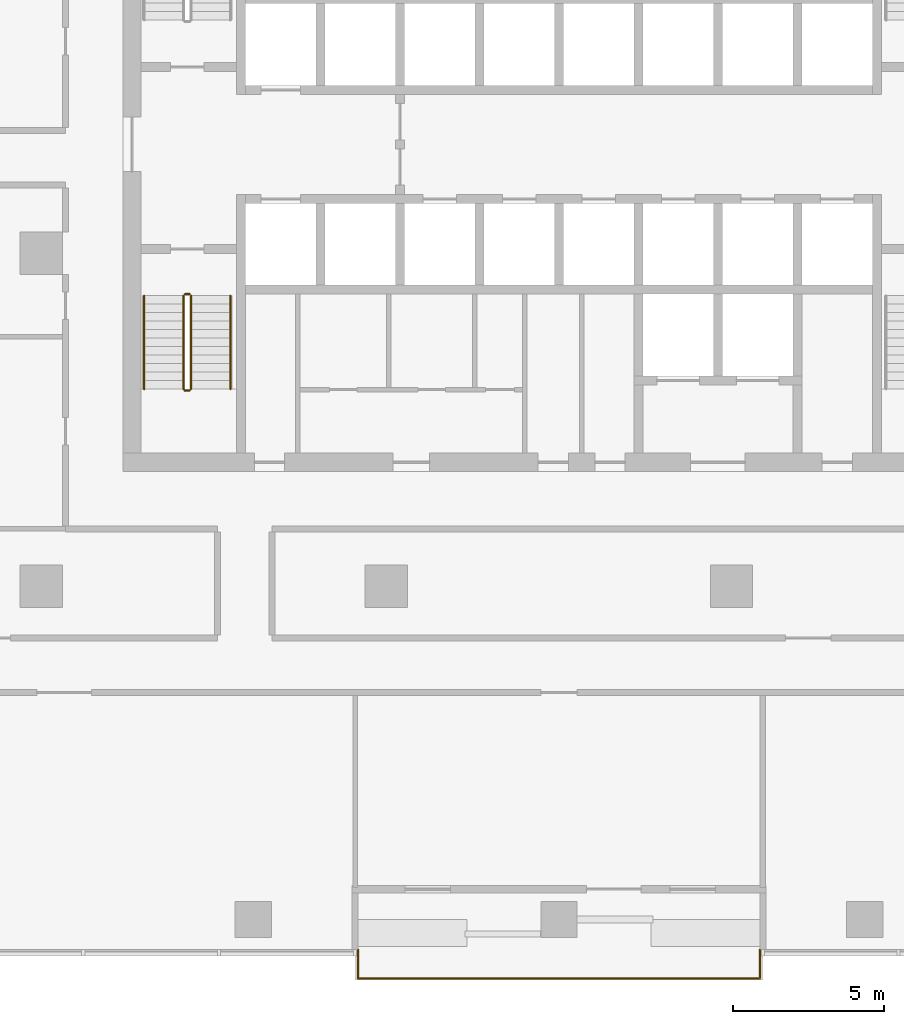
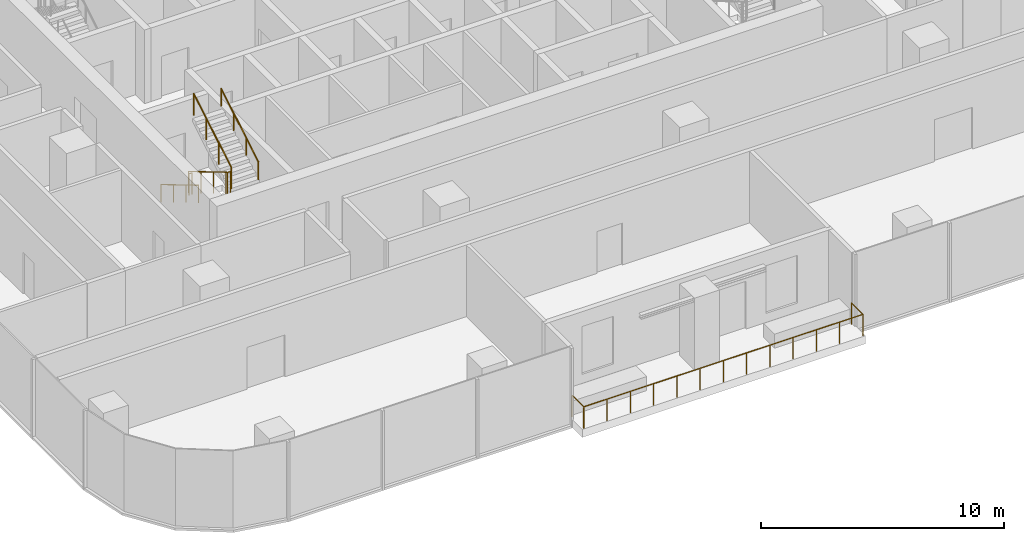
# One storey, part 11 of 14: 6 railings.
"""IFC4 building model written with IfcOpenShell, lengths in metres."""

from ifc_helpers import new_model, si_unit, direction, frame, origin, origin_2d, place, context, subcontext, project, spatial, circle, extrude, material, type_object, element, save


model = new_model("IFC4")

# Units and contexts
model_context = context("Model", 3, precision=1e-05, world=origin(), true_north=direction((0.0, 1.0)))
body_context = subcontext(model_context, "Body", "Model", "MODEL_VIEW")
ifc_project = project(units=[si_unit("LENGTHUNIT", "METRE"), si_unit("AREAUNIT", "SQUARE_METRE"), si_unit("VOLUMEUNIT", "CUBIC_METRE"), si_unit("PLANEANGLEUNIT", "RADIAN"), si_unit("MASSUNIT", "GRAM", prefix="KILO")], contexts=[model_context])

# Site, building, storey
site_placement = place(None, origin())
site = spatial("IfcSite", under=ifc_project, at=site_placement, CompositionType="ELEMENT")
building_placement = place(site_placement, origin())
building = spatial("IfcBuilding", under=site, at=building_placement, Name="Mopane Tessera Tower", CompositionType="ELEMENT")
storey_placement = place(building_placement, frame((0.0, 0.0, 165.0)))
storey = spatial("IfcBuildingStorey", under=building, at=storey_placement, Name="L33", CompositionType="ELEMENT", Elevation=165.0)

# Railings
ifc_material_1 = material(Name="Powder-coated steel balustrade", Category="steel")
railing_type_1 = type_object("IfcRailingType", Name="Escape stair guard 1100 mm", PredefinedType="GUARDRAIL", material=ifc_material_1)
railing_1_placement = place(storey_placement, frame((-12.39990234375, -1.39990234375, 0.166748046875)))
element("IfcRailing", 1, at=railing_1_placement, inside=storey, type_object=railing_type_1, Name="L33 ST1 stair guard 1", PredefinedType="GUARDRAIL", context=body_context, shape_type="SweptSolid", body=[
    extrude(circle(Radius=0.02392578125, at=origin_2d()), frame((0.0, 0.0, 1.076171875), z_axis=(0.0, -0.859308565015, 0.511457515432), x_axis=(1.0, 0.0, 0.0)), (0.0, 0.0, 1.0), 3.58447265625),
    extrude(circle(Radius=0.02392578125, at=origin_2d()), frame((0.0, -3.080078125, 2.9091796875), z_axis=(0.705375805398, -0.708833529934, 0.0), x_axis=(0.708833529934, 0.705375805398, 0.0)), (0.0, 0.0, 1.0), 0.070556640625),
    extrude(circle(Radius=0.02392578125, at=origin_2d()), frame((0.0498046875, -3.130126953125, 2.9091796875), z_axis=(1.0, 0.0, 0.0), x_axis=(0.0, 1.0, 0.0)), (0.0, 0.0, 1.0), 0.150146484375),
    extrude(circle(Radius=0.02099609375, at=origin_2d()), origin(), (0.0, 0.0, 1.0), 1.052001953125),
    extrude(circle(Radius=0.02099609375, at=origin_2d()), frame((0.0, -1.026611328125, 0.611083984375)), (0.0, 0.0, 1.0), 1.052001953125),
    extrude(circle(Radius=0.02099609375, at=origin_2d()), frame((0.0, -2.053466796875, 1.22216796875)), (0.0, 0.0, 1.0), 1.052001953125),
    extrude(circle(Radius=0.02099609375, at=origin_2d()), frame((0.0, -3.080078125, 1.833251953125)), (0.0, 0.0, 1.0), 1.052001953125),
    extrude(circle(Radius=0.02099609375, at=origin_2d()), frame((0.0498046875, -3.130126953125, 1.833251953125)), (0.0, 0.0, 1.0), 1.052001953125),
    extrude(circle(Radius=0.02099609375, at=origin_2d()), frame((0.199951171875, -3.130126953125, 1.833251953125)), (0.0, 0.0, 1.0), 1.052001953125),
])
railing_2_placement = place(storey_placement, frame((-12.14990234375, -4.47998046875, 2.166748046875)))
element("IfcRailing", 2, at=railing_2_placement, inside=storey, type_object=railing_type_1, Name="L33 ST1 stair guard 2", PredefinedType="GUARDRAIL", context=body_context, shape_type="SweptSolid", body=[
    extrude(circle(Radius=0.02392578125, at=origin_2d()), frame((0.0, 0.0, 1.076171875), z_axis=(0.0, 0.859308565015, 0.511457515432), x_axis=(-1.0, 0.0, 0.0)), (0.0, 0.0, 1.0), 3.58447265625),
    extrude(circle(Radius=0.02099609375, at=origin_2d()), origin(), (0.0, 0.0, 1.0), 1.052001953125),
    extrude(circle(Radius=0.02099609375, at=origin_2d()), frame((0.0, 1.026611328125, 0.611083984375)), (0.0, 0.0, 1.0), 1.052001953125),
    extrude(circle(Radius=0.02099609375, at=origin_2d()), frame((0.0, 2.053466796875, 1.22216796875)), (0.0, 0.0, 1.0), 1.052001953125),
    extrude(circle(Radius=0.02099609375, at=origin_2d()), frame((0.0, 3.080078125, 1.833251953125)), (0.0, 0.0, 1.0), 1.052001953125),
])
railing_3_placement = place(storey_placement, frame((-12.35009765625, -1.35009765625, 0.0)))
element("IfcRailing", 3, at=railing_3_placement, inside=storey, type_object=railing_type_1, Name="L33 ST1 stair guard 3", PredefinedType="GUARDRAIL", context=body_context, shape_type="SweptSolid", body=[
    extrude(circle(Radius=0.02392578125, at=origin_2d()), frame((0.0, 0.0, 1.076171875), z_axis=(1.0, 0.0, 0.0), x_axis=(0.0, 1.0, 0.0)), (0.0, 0.0, 1.0), 0.150146484375),
    extrude(circle(Radius=0.02099609375, at=origin_2d()), origin(), (0.0, 0.0, 1.0), 1.052001953125),
    extrude(circle(Radius=0.02099609375, at=origin_2d()), frame((0.150146484375, 0.0, 0.0)), (0.0, 0.0, 1.0), 1.052001953125),
])
ifc_material_2 = material(Name="Powder-coated steel balustrade", Category="steel")
railing_type_2 = type_object("IfcRailingType", Name="Escape stair handrail 900 mm", PredefinedType="HANDRAIL", material=ifc_material_2)
railing_4_placement = place(storey_placement, frame((-13.699951171875, -1.39990234375, 0.166748046875)))
element("IfcRailing", 4, at=railing_4_placement, inside=storey, type_object=railing_type_2, Name="L33 ST1 stair handrail 1", PredefinedType="HANDRAIL", context=body_context, shape_type="SweptSolid", body=[
    extrude(circle(Radius=0.02392578125, at=origin_2d()), frame((0.0, 0.0, 0.8759765625), z_axis=(0.0, -0.859308565015, 0.511457515432), x_axis=(1.0, 0.0, 0.0)), (0.0, 0.0, 1.0), 3.58447265625),
    extrude(circle(Radius=0.02099609375, at=origin_2d()), origin(), (0.0, 0.0, 1.0), 0.851806640625),
    extrude(circle(Radius=0.02099609375, at=origin_2d()), frame((0.0, -1.026611328125, 0.611083984375)), (0.0, 0.0, 1.0), 0.851806640625),
    extrude(circle(Radius=0.02099609375, at=origin_2d()), frame((0.0, -2.053466796875, 1.22216796875)), (0.0, 0.0, 1.0), 0.851806640625),
    extrude(circle(Radius=0.02099609375, at=origin_2d()), frame((0.0, -3.080078125, 1.833251953125)), (0.0, 0.0, 1.0), 0.851806640625),
])
railing_5_placement = place(storey_placement, frame((-10.85009765625, -4.47998046875, 2.166748046875)))
element("IfcRailing", 5, at=railing_5_placement, inside=storey, type_object=railing_type_2, Name="L33 ST1 stair handrail 2", PredefinedType="HANDRAIL", context=body_context, shape_type="SweptSolid", body=[
    extrude(circle(Radius=0.02392578125, at=origin_2d()), frame((0.0, 0.0, 0.8759765625), z_axis=(0.0, 0.859308565015, 0.511457515432), x_axis=(-1.0, 0.0, 0.0)), (0.0, 0.0, 1.0), 3.58447265625),
    extrude(circle(Radius=0.02099609375, at=origin_2d()), origin(), (0.0, 0.0, 1.0), 0.851806640625),
    extrude(circle(Radius=0.02099609375, at=origin_2d()), frame((0.0, 1.026611328125, 0.611083984375)), (0.0, 0.0, 1.0), 0.851806640625),
    extrude(circle(Radius=0.02099609375, at=origin_2d()), frame((0.0, 2.053466796875, 1.22216796875)), (0.0, 0.0, 1.0), 0.851806640625),
    extrude(circle(Radius=0.02099609375, at=origin_2d()), frame((0.0, 3.080078125, 1.833251953125)), (0.0, 0.0, 1.0), 0.851806640625),
])
ifc_material_3 = material(Name="Stainless steel S316", Category="steel")
railing_type_3 = type_object("IfcRailingType", Name="Terrace guard 1100", PredefinedType="GUARDRAIL", material=ifc_material_3)
railing_6_placement = place(storey_placement, frame((-6.63330078125, -23.0, 0.0)))
element("IfcRailing", 6, at=railing_6_placement, inside=storey, type_object=railing_type_3, Name="e:nw:L33:N2:guard", PredefinedType="GUARDRAIL", context=body_context, shape_type="SweptSolid", body=[
    extrude(circle(Radius=0.02392578125, at=origin_2d()), frame((0.0, 0.0, 1.076171875), z_axis=(0.0, -1.0, 0.0), x_axis=(1.0, 0.0, 0.0)), (0.0, 0.0, 1.0), 0.949951171875),
    extrude(circle(Radius=0.02392578125, at=origin_2d()), frame((0.0, -0.949951171875, 1.076171875), z_axis=(1.0, 0.0, 0.0), x_axis=(0.0, 1.0, 0.0)), (0.0, 0.0, 1.0), 13.2666015625),
    extrude(circle(Radius=0.02392578125, at=origin_2d()), frame((13.2666015625, -0.949951171875, 1.076171875), z_axis=(0.0, 1.0, 0.0), x_axis=(-1.0, 0.0, 0.0)), (0.0, 0.0, 1.0), 0.949951171875),
    extrude(circle(Radius=0.02099609375, at=origin_2d()), origin(), (0.0, 0.0, 1.0), 1.052001953125),
    extrude(circle(Radius=0.02099609375, at=origin_2d()), frame((0.0, -0.949951171875, 0.0)), (0.0, 0.0, 1.0), 1.052001953125),
    extrude(circle(Radius=0.02099609375, at=origin_2d()), frame((1.10546875, -0.949951171875, 0.0)), (0.0, 0.0, 1.0), 1.052001953125),
    extrude(circle(Radius=0.02099609375, at=origin_2d()), frame((2.211181640625, -0.949951171875, 0.0)), (0.0, 0.0, 1.0), 1.052001953125),
    extrude(circle(Radius=0.02099609375, at=origin_2d()), frame((3.316650390625, -0.949951171875, 0.0)), (0.0, 0.0, 1.0), 1.052001953125),
    extrude(circle(Radius=0.02099609375, at=origin_2d()), frame((4.422119140625, -0.949951171875, 0.0)), (0.0, 0.0, 1.0), 1.052001953125),
    extrude(circle(Radius=0.02099609375, at=origin_2d()), frame((5.52783203125, -0.949951171875, 0.0)), (0.0, 0.0, 1.0), 1.052001953125),
    extrude(circle(Radius=0.02099609375, at=origin_2d()), frame((6.63330078125, -0.949951171875, 0.0)), (0.0, 0.0, 1.0), 1.052001953125),
    extrude(circle(Radius=0.02099609375, at=origin_2d()), frame((7.73876953125, -0.949951171875, 0.0)), (0.0, 0.0, 1.0), 1.052001953125),
    extrude(circle(Radius=0.02099609375, at=origin_2d()), frame((8.844482421875, -0.949951171875, 0.0)), (0.0, 0.0, 1.0), 1.052001953125),
    extrude(circle(Radius=0.02099609375, at=origin_2d()), frame((9.949951171875, -0.949951171875, 0.0)), (0.0, 0.0, 1.0), 1.052001953125),
    extrude(circle(Radius=0.02099609375, at=origin_2d()), frame((11.055419921875, -0.949951171875, 0.0)), (0.0, 0.0, 1.0), 1.052001953125),
    extrude(circle(Radius=0.02099609375, at=origin_2d()), frame((12.1611328125, -0.949951171875, 0.0)), (0.0, 0.0, 1.0), 1.052001953125),
    extrude(circle(Radius=0.02099609375, at=origin_2d()), frame((13.2666015625, -0.949951171875, 0.0)), (0.0, 0.0, 1.0), 1.052001953125),
    extrude(circle(Radius=0.02099609375, at=origin_2d()), frame((13.2666015625, 0.0, 0.0)), (0.0, 0.0, 1.0), 1.052001953125),
])

save(model, "model.ifc")
